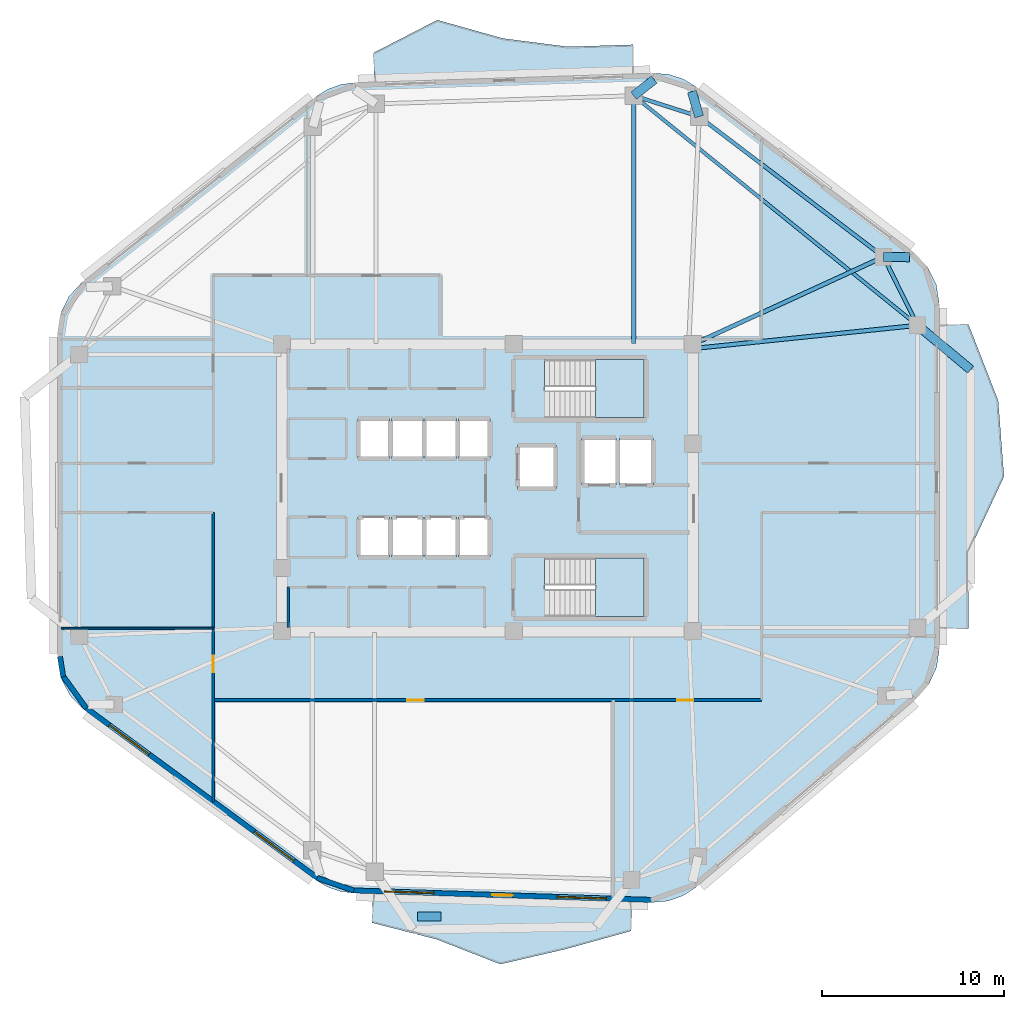
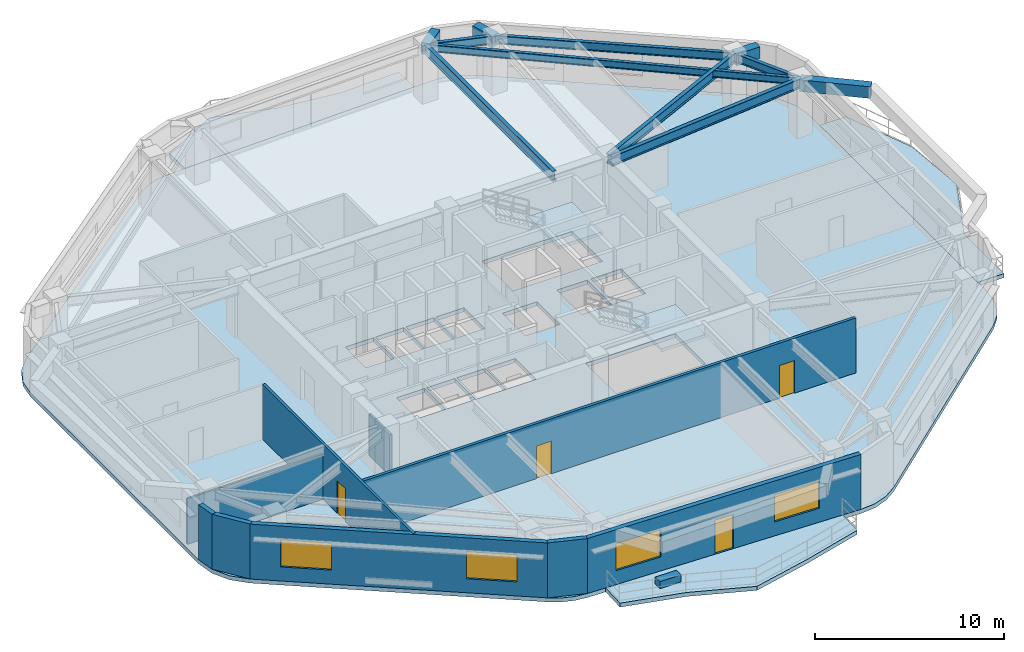
# One storey, part 2 of 8: 11 beams, 9 walls, 6 slabs, 4 doors, 4 windows, 1 plate, 8 openings, 2 elements without a shape of their own.
"""IFC4 building model written with IfcOpenShell, lengths in metres."""

from ifc_helpers import new_model, si_unit, direction, frame, frame_2d, origin, origin_2d, place, context, subcontext, project, spatial, polyline, rectangle, i_section, outline, extrude, material, layer, layer_set, material_profile, profile_set, type_object, element, fill, aggregate, save


model = new_model("IFC4")

# Units and contexts
model_context = context("Model", 3, precision=1e-05, world=origin(), true_north=direction((0.0, 1.0)))
body_context = subcontext(model_context, "Body", "Model", "MODEL_VIEW")
ifc_project = project(units=[si_unit("LENGTHUNIT", "METRE"), si_unit("AREAUNIT", "SQUARE_METRE"), si_unit("VOLUMEUNIT", "CUBIC_METRE"), si_unit("PLANEANGLEUNIT", "RADIAN"), si_unit("MASSUNIT", "GRAM", prefix="KILO")], contexts=[model_context])

# Site, building, storey
site_placement = place(None, origin())
site = spatial("IfcSite", under=ifc_project, at=site_placement, CompositionType="ELEMENT")
building_placement = place(site_placement, origin())
building = spatial("IfcBuilding", under=site, at=building_placement, Name="Zulverin Broadcast Headquarters", CompositionType="ELEMENT")
storey_placement = place(building_placement, frame((0.0, 0.0, 166.800048828125)))
storey = spatial("IfcBuildingStorey", under=building, at=storey_placement, Name="L42", CompositionType="ELEMENT", Elevation=166.800048828125)

# Beams
ifc_material_1 = material(Name="Concrete C40/50", Category="concrete")
ifc_material_profile_1 = material_profile(ifc_material_1, rectangle(XDim=0.5, YDim=0.75, at=origin_2d()), Name="Concrete C40/50", Category="concrete")
ifc_profile_set_1 = profile_set([ifc_material_profile_1], Name="Concrete C40/50")
beam_type_1 = type_object("IfcBeamType", Name="BM-RC-500x750", PredefinedType="BEAM", material=ifc_profile_set_1)
for number, where, z_axis, x_axis, name in (
    (1, (58.738037109375, 37.877685546875, 3.1650390625), (0.99990438472, -0.013828283279, 0.0), (0.013828283279, 0.99990438472, 0.0), "L43 Plate Overhang Back-Spanned Beam OVR-07"),
    (2, (48.62158203125, 45.574951171875, 3.1650390625), (-0.28015077605, 0.959956010804, 0.0), (-0.959956010804, -0.28015077605, 0.0), "L43 Plate Overhang Back-Spanned Beam OVR-08"),
):
    element("IfcBeam", number, at=place(storey_placement, frame(where, z_axis=z_axis, x_axis=x_axis)), inside=storey, type_object=beam_type_1, Name=name, PredefinedType="BEAM", context=body_context, shape_type="SweptSolid", body=[
        extrude(rectangle(XDim=0.5, YDim=0.75, at=origin_2d()), origin(), (0.0, 0.0, 1.0), 1.43017578125),
    ])
beam_1_placement = place(storey_placement, frame((45.027587890625, 46.7236328125, 3.1650390625), z_axis=(0.784900247321, 0.619622144339, 0.0), x_axis=(-0.619622144339, 0.784900247321, 0.0)))
element("IfcBeam", 3, at=beam_1_placement, inside=storey, type_object=beam_type_1, Name="L43 Plate Overhang Back-Spanned Beam OVR-09", PredefinedType="BEAM", context=body_context, shape_type="SweptSolid", body=[
    extrude(rectangle(XDim=0.5, YDim=0.75, at=origin_2d()), origin(), (0.0, 0.0, 1.0), 1.429931640625),
])
beam_2_placement = place(storey_placement, frame((60.60009765625, 34.12158203125, 3.1650390625), z_axis=(0.768400300007, -0.639969514078, 0.0), x_axis=(0.639969514078, 0.768400300007, 0.0)))
element("IfcBeam", 4, at=beam_2_placement, inside=storey, type_object=beam_type_1, Name="L43 Balcony Column-Framed Cantilever BAL_E-2", PredefinedType="BEAM", context=body_context, shape_type="SweptSolid", body=[
    extrude(rectangle(XDim=0.5, YDim=0.75, at=origin_2d()), origin(), (0.0, 0.0, 1.0), 3.800048828125),
])
ifc_material_2 = material(Name="Structural steel S355JR", Category="steel")
ifc_material_profile_2 = material_profile(ifc_material_2, i_section(OverallWidth=0.19287109375, OverallDepth=0.46728515625, WebThickness=0.011474609375, FlangeThickness=0.01953125, at=origin_2d()), Name="Structural steel S355JR", Category="steel")
ifc_profile_set_2 = profile_set([ifc_material_profile_2], Name="Structural steel S355JR")
beam_type_2 = type_object("IfcBeamType", Name="BM-UB-457", PredefinedType="JOIST", material=ifc_profile_set_2)
beam_3_placement = place(storey_placement, frame((60.60009765625, 34.12158203125, 3.306396484375), z_axis=(-0.777349017335, 0.629069555175, 0.0), x_axis=(-0.629069555175, -0.777349017335, 0.0)))
element("IfcBeam", 5, at=beam_3_placement, inside=storey, type_object=beam_type_2, Name="L42 Chordal Floor Joist J-02", PredefinedType="JOIST", context=body_context, shape_type="SweptSolid", body=[
    extrude(i_section(OverallWidth=0.19287109375, OverallDepth=0.46728515625, WebThickness=0.011474609375, FlangeThickness=0.01953125, at=origin_2d()), origin(), (0.0, 0.0, 1.0), 20.032958984375),
])
ifc_material_profile_3 = material_profile(ifc_material_2, i_section(OverallWidth=0.2119140625, OverallDepth=0.54443359375, WebThickness=0.0126953125, FlangeThickness=0.021240234375, at=origin_2d()), Name="Structural steel S355JR", Category="steel")
ifc_profile_set_3 = profile_set([ifc_material_profile_3], Name="Structural steel S355JR")
beam_type_3 = type_object("IfcBeamType", Name="BM-UB-533", PredefinedType="SPANDREL", material=ifc_profile_set_3)
beam_4_placement = place(storey_placement, frame((60.60009765625, 34.12158203125, 3.267578125), z_axis=(-0.444159471033, 0.895947746407, 0.0), x_axis=(-0.895947746407, -0.444159471033, 0.0)))
element("IfcBeam", 6, at=beam_4_placement, inside=storey, type_object=beam_type_3, Name="L42 Perimeter Spandrel Beam SP-06", PredefinedType="SPANDREL", context=body_context, shape_type="SweptSolid", body=[
    extrude(i_section(OverallWidth=0.2119140625, OverallDepth=0.54443359375, WebThickness=0.0126953125, FlangeThickness=0.021240234375, at=origin_2d()), origin(), (0.0, 0.0, 1.0), 4.1923828125),
])
beam_5_placement = place(storey_placement, frame((58.738037109375, 37.877685546875, 3.267578125), z_axis=(-0.795830102505, 0.60551998146, 0.0), x_axis=(-0.60551998146, -0.795830102505, 0.0)))
element("IfcBeam", 7, at=beam_5_placement, inside=storey, type_object=beam_type_3, Name="L42 Perimeter Spandrel Beam SP-07", PredefinedType="SPANDREL", context=body_context, shape_type="SweptSolid", body=[
    extrude(i_section(OverallWidth=0.2119140625, OverallDepth=0.54443359375, WebThickness=0.0126953125, FlangeThickness=0.021240234375, at=origin_2d()), origin(), (0.0, 0.0, 1.0), 12.7119140625),
])
beam_6_placement = place(storey_placement, frame((48.62158203125, 45.574951171875, 3.267578125), z_axis=(-0.952531523781, 0.304439971428, 0.0), x_axis=(-0.304439971428, -0.952531523781, 0.0)))
element("IfcBeam", 8, at=beam_6_placement, inside=storey, type_object=beam_type_3, Name="L42 Perimeter Spandrel Beam SP-08", PredefinedType="SPANDREL", context=body_context, shape_type="SweptSolid", body=[
    extrude(i_section(OverallWidth=0.2119140625, OverallDepth=0.54443359375, WebThickness=0.0126953125, FlangeThickness=0.021240234375, at=origin_2d()), origin(), (0.0, 0.0, 1.0), 3.773193359375),
])
ifc_material_profile_4 = material_profile(ifc_material_2, i_section(OverallWidth=0.230224609375, OverallDepth=0.6171875, WebThickness=0.01318359375, FlangeThickness=0.022216796875, at=origin_2d()), Name="Structural steel S355JR", Category="steel")
ifc_profile_set_4 = profile_set([ifc_material_profile_4], Name="Structural steel S355JR")
beam_type_4 = type_object("IfcBeamType", Name="BM-UB-610", PredefinedType="BEAM", material=ifc_profile_set_4)
beam_7_placement = place(storey_placement, frame((48.324951171875, 32.85009765625, 3.2314453125), z_axis=(0.994678169641, 0.103030766473, 0.0), x_axis=(-0.103030766473, 0.994678169641, 0.0)))
element("IfcBeam", 9, at=beam_7_placement, inside=storey, type_object=beam_type_4, Name="L42 Radial Primary Floor Beam RB-06", PredefinedType="BEAM", context=body_context, shape_type="SweptSolid", body=[
    extrude(i_section(OverallWidth=0.230224609375, OverallDepth=0.6171875, WebThickness=0.01318359375, FlangeThickness=0.022216796875, at=origin_2d()), origin(), (0.0, 0.0, 1.0), 12.3408203125),
])
beam_8_placement = place(storey_placement, frame((48.27490234375, 33.074951171875, 3.2314453125), z_axis=(0.90883007293, 0.417166511764, 0.0), x_axis=(-0.417166511764, 0.90883007293, 0.0)))
element("IfcBeam", 10, at=beam_8_placement, inside=storey, type_object=beam_type_4, Name="L42 Radial Primary Floor Beam RB-07", PredefinedType="BEAM", context=body_context, shape_type="SweptSolid", body=[
    extrude(i_section(OverallWidth=0.230224609375, OverallDepth=0.6171875, WebThickness=0.01318359375, FlangeThickness=0.022216796875, at=origin_2d()), origin(), (0.0, 0.0, 1.0), 11.5126953125),
])
beam_9_placement = place(storey_placement, frame((45.027587890625, 33.125, 3.2314453125), z_axis=(0.0, 1.0, 0.0), x_axis=(-1.0, 0.0, 0.0)))
element("IfcBeam", 11, at=beam_9_placement, inside=storey, type_object=beam_type_4, Name="L42 Radial Primary Floor Beam RB-09", PredefinedType="BEAM", context=body_context, shape_type="SweptSolid", body=[
    extrude(i_section(OverallWidth=0.230224609375, OverallDepth=0.6171875, WebThickness=0.01318359375, FlangeThickness=0.022216796875, at=origin_2d()), origin(), (0.0, 0.0, 1.0), 13.5986328125),
])

# Plate
ifc_material_3 = material(Name="Precast concrete C45/55", Category="concrete")
ifc_layer_1 = layer(ifc_material_3, 0.449951171875, Name="Precast concrete C45/55", Category="concrete")
ifc_layer_set_1 = layer_set([ifc_layer_1], Name="Precast concrete C45/55")
plate_type = type_object("IfcPlateType", Name="PT-01_PRECAST_GFRC_TREE_PLANTER", PredefinedType="USERDEFINED", material=ifc_layer_set_1)
plate_placement = place(storey_placement, frame((33.808349609375, 1.68115234375, -0.0048828125), z_axis=(0.0, 0.0, 1.0), x_axis=(1.0, 0.0, 0.0)))
element("IfcPlate", 12, at=plate_placement, inside=storey, type_object=plate_type, Name="L42 Precast GFRC Tree Planter BAL_S", ObjectType="PLANTER", PredefinedType="USERDEFINED", context=body_context, shape_type="SweptSolid", body=[
    extrude(rectangle(XDim=1.300048828125, YDim=0.5, at=origin_2d()), origin(), (0.0, 0.0, 1.0), 0.449951171875),
])

# Slabs
ifc_layer_2 = layer(ifc_material_1, 0.260009765625, Name="Concrete C40/50", Category="concrete")
ifc_layer_set_2 = layer_set([ifc_layer_2], Name="Concrete C40/50")
slab_type_1 = type_object("IfcSlabType", Name="SLB-BAL-260", PredefinedType="FLOOR", material=ifc_layer_set_2)
slab_1_placement = place(storey_placement, frame((0.0, 0.0, -0.260009765625)))
element("IfcSlab", 13, at=slab_1_placement, inside=storey, type_object=slab_type_1, Name="L42 Cantilevered Planted Balcony Slab BAL_E", PredefinedType="FLOOR", context=body_context, shape_type="SweptSolid", body=[
    extrude(outline(polyline([(61.800048828125, 34.17138671875), (61.800048828125, 17.46923828125), (63.39990234375, 17.46923828125), (63.39990234375, 21.644775390625), (65.35009765625, 25.8203125), (65.029541015625, 29.995849609375), (63.39990234375, 34.17138671875), (61.800048828125, 34.17138671875)])), origin(), (0.0, 0.0, 1.0), 0.260009765625),
])
slab_2_placement = place(storey_placement, frame((0.0, 0.0, -0.260009765625)))
element("IfcSlab", 14, at=slab_2_placement, inside=storey, type_object=slab_type_1, Name="L42 Cantilevered Planted Balcony Slab BAL_S", PredefinedType="FLOOR", context=body_context, shape_type="SweptSolid", body=[
    extrude(outline(polyline([(44.921630859375, 2.479248046875), (30.720458984375, 2.9296875), (30.669921875, 1.33056640625), (34.195068359375, 0.429931640625), (37.705322265625, -0.943603515625), (41.28564453125, -0.11328125), (44.87109375, 0.8798828125), (44.921630859375, 2.479248046875)])), origin(), (0.0, 0.0, 1.0), 0.260009765625),
])
slab_3_placement = place(storey_placement, frame((0.0, 0.0, -0.260009765625)))
element("IfcSlab", 15, at=slab_3_placement, inside=storey, type_object=slab_type_1, Name="L42 Cantilevered Planted Balcony Slab BAL_N", PredefinedType="FLOOR", context=body_context, shape_type="SweptSolid", body=[
    extrude(outline(polyline([(30.794189453125, 47.47265625), (45.03955078125, 47.924560546875), (44.98876953125, 49.523681640625), (41.427490234375, 49.410888671875), (37.847900390625, 49.86767578125), (34.2509765625, 50.87841796875), (30.743408203125, 49.072021484375), (30.794189453125, 47.47265625)])), origin(), (0.0, 0.0, 1.0), 0.260009765625),
])

# Stair, slab
stair_type = type_object("IfcStairType", Name="ST-CORE-1500", PredefinedType="HALF_TURN_STAIR", material=ifc_material_1)
stair_1_placement = place(storey_placement, origin())
stair_1 = element("IfcStair", 16, at=stair_1_placement, inside=storey, type_object=stair_type, Name="L42 Core Exit Stair ST-1", PredefinedType="HALF_TURN_STAIR")
ifc_layer_3 = layer(ifc_material_1, 0.199951171875, Name="Concrete C40/50", Category="concrete")
ifc_layer_set_3 = layer_set([ifc_layer_3], Name="Concrete C40/50")
slab_type_2 = type_object("IfcSlabType", Name="SLB-ST-LND200", PredefinedType="LANDING", material=ifc_layer_set_3)
slab_4_placement = place(storey_placement, frame((0.0, 0.0, 1.699951171875)))
slab_4 = element("IfcSlab", 17, at=slab_4_placement, type_object=slab_type_2, Name="ST-1 landing 1", PredefinedType="LANDING", context=body_context, shape_type="SweptSolid", body=[
    extrude(outline(polyline([(42.929931640625, 29.050048828125), (45.60009765625, 29.050048828125), (45.60009765625, 32.25), (42.929931640625, 32.25), (42.929931640625, 29.050048828125)])), origin(), (0.0, 0.0, 1.0), 0.199951171875),
])
aggregate(stair_1, [slab_4])

stair_2_placement = place(storey_placement, origin())
stair_2 = element("IfcStair", 18, at=stair_2_placement, inside=storey, type_object=stair_type, Name="L42 Core Exit Stair ST-2", PredefinedType="HALF_TURN_STAIR")
slab_5_placement = place(storey_placement, frame((0.0, 0.0, 1.699951171875)))
slab_5 = element("IfcSlab", 19, at=slab_5_placement, type_object=slab_type_2, Name="ST-2 landing 1", PredefinedType="LANDING", context=body_context, shape_type="SweptSolid", body=[
    extrude(outline(polyline([(42.929931640625, 18.14990234375), (45.60009765625, 18.14990234375), (45.60009765625, 21.35009765625), (42.929931640625, 21.35009765625), (42.929931640625, 18.14990234375)])), origin(), (0.0, 0.0, 1.0), 0.199951171875),
])
aggregate(stair_2, [slab_5])

# Slab
ifc_layer_4 = layer(ifc_material_1, 0.260009765625, Name="Concrete C40/50", Category="concrete")
ifc_layer_set_4 = layer_set([ifc_layer_4], Name="Concrete C40/50")
slab_type_3 = type_object("IfcSlabType", Name="SLB-TWR-260", PredefinedType="FLOOR", material=ifc_layer_set_4)
slab_6_placement = place(storey_placement, frame((0.0, 0.0, -0.260009765625)))
element("IfcSlab", 20, at=slab_6_placement, inside=storey, type_object=slab_type_3, Name="L42 Main Structural Floor Slab", PredefinedType="FLOOR", context=body_context, shape_type="SweptSolid", body=[
    extrude(outline(polyline([(27.603515625, 3.661865234375), (28.224365234375, 3.295166015625), (28.906005859375, 3.0595703125), (29.62109375, 2.964599609375), (46.02099609375, 2.4443359375), (46.902587890625, 2.525146484375), (47.738037109375, 2.81884765625), (48.476318359375, 3.3076171875), (60.541015625, 13.63427734375), (61.220703125, 14.41064453125), (61.652099609375, 15.34814453125), (61.800048828125, 16.369384765625), (61.800048828125, 35.271484375), (61.6318359375, 36.358642578125), (61.143310546875, 37.344482421875), (60.3798828125, 38.136474609375), (48.432861328125, 47.226318359375), (47.73095703125, 47.643798828125), (46.952880859375, 47.892578125), (46.138916015625, 47.95947265625), (29.694580078125, 47.437744140625), (28.9365234375, 47.332275390625), (28.2177734375, 47.06884765625), (27.57080078125, 46.659423828125), (14.761962890625, 36.492919921875), (14.02880859375, 35.705810546875), (13.560791015625, 34.737060546875), (13.39990234375, 33.673095703125), (13.39990234375, 15.921875), (13.57421875, 14.815673828125), (14.079833984375, 13.81640625), (14.8681640625, 13.02099609375), (27.603515625, 3.661865234375)]), holes=[polyline([(40.155029296875, 30.75), (40.130126953125, 30.75), (40.130126953125, 32.25), (45.60009765625, 32.25), (45.60009765625, 29.050048828125), (40.155029296875, 29.050048828125), (40.155029296875, 30.75)]), polyline([(40.155029296875, 19.85009765625), (40.130126953125, 19.85009765625), (40.130126953125, 21.35009765625), (45.60009765625, 21.35009765625), (45.60009765625, 18.14990234375), (40.155029296875, 18.14990234375), (40.155029296875, 19.85009765625)]), polyline([(29.89990234375, 21.39990234375), (31.6201171875, 21.39990234375), (31.6201171875, 23.60009765625), (29.89990234375, 23.60009765625), (29.89990234375, 21.39990234375)]), polyline([(31.739990234375, 21.39990234375), (33.4599609375, 21.39990234375), (33.4599609375, 23.60009765625), (31.739990234375, 23.60009765625), (31.739990234375, 21.39990234375)]), polyline([(33.580078125, 21.39990234375), (35.300048828125, 21.39990234375), (35.300048828125, 23.60009765625), (33.580078125, 23.60009765625), (33.580078125, 21.39990234375)]), polyline([(35.419921875, 21.39990234375), (37.139892578125, 21.39990234375), (37.139892578125, 23.60009765625), (35.419921875, 23.60009765625), (35.419921875, 21.39990234375)]), polyline([(29.89990234375, 26.800048828125), (31.6201171875, 26.800048828125), (31.6201171875, 29.0), (29.89990234375, 29.0), (29.89990234375, 26.800048828125)]), polyline([(31.739990234375, 26.800048828125), (33.4599609375, 26.800048828125), (33.4599609375, 29.0), (31.739990234375, 29.0), (31.739990234375, 26.800048828125)]), polyline([(33.580078125, 26.800048828125), (35.300048828125, 26.800048828125), (35.300048828125, 29.0), (33.580078125, 29.0), (33.580078125, 26.800048828125)]), polyline([(35.419921875, 26.800048828125), (37.139892578125, 26.800048828125), (37.139892578125, 29.0), (35.419921875, 29.0), (35.419921875, 26.800048828125)]), polyline([(42.199951171875, 25.35009765625), (44.050048828125, 25.35009765625), (44.050048828125, 27.949951171875), (42.199951171875, 27.949951171875), (42.199951171875, 25.35009765625)]), polyline([(44.25, 25.35009765625), (46.10009765625, 25.35009765625), (46.10009765625, 27.949951171875), (44.25, 27.949951171875), (44.25, 25.35009765625)]), polyline([(38.64990234375, 25.14990234375), (40.75, 25.14990234375), (40.75, 27.550048828125), (38.64990234375, 27.550048828125), (38.64990234375, 25.14990234375)])]), origin(), (0.0, 0.0, 1.0), 0.260009765625),
])

# Wall, openings, door, windows
ifc_material_4 = material(Name="Insulated pale-metal clad concrete spandrel C40/50", Category="concrete")
ifc_layer_5 = layer(ifc_material_4, 0.280029296875, Name="Insulated pale-metal clad concrete spandrel C40/50", Category="concrete")
ifc_layer_set_5 = layer_set([ifc_layer_5], Name="Insulated pale-metal clad concrete spandrel C40/50")
wall_type_1 = type_object("IfcWallType", Name="WL-EXT-280", PredefinedType="STANDARD", material=ifc_layer_set_5)
wall_1_placement = place(storey_placement, frame((29.62548828125, 3.1044921875, 0.0), z_axis=(0.0, 0.0, 1.0), x_axis=(0.99949718661, -0.031707632487, 0.0)))
wall_1 = element("IfcWall", 21, at=wall_1_placement, inside=storey, type_object=wall_type_1, Name="L42 Pale-Metal Clad Spandrel Wall 1", PredefinedType="STANDARD", context=body_context, shape_type="SweptSolid", body=[
    extrude(rectangle(XDim=16.408203125, YDim=0.280029296875, at=frame_2d((8.2041015625, 0.0))), origin(), (0.0, 0.0, 1.0), 3.5400390625),
])
opening_1_placement = place(wall_1_placement, frame((7.654052734375, 0.0, 0.0)))
opening_1 = element("IfcOpeningElement", 22, at=opening_1_placement, cuts=wall_1, Name="Opening D-L42-TR1", PredefinedType="OPENING", context=body_context, shape_type="SweptSolid", body=[
    extrude(rectangle(XDim=1.10009765625, YDim=2.199951171875, at=frame_2d((0.550048828125, 1.10009765625))), frame((0.0, 0.14990234375, 0.0), z_axis=(0.0, -1.0, 0.0), x_axis=(1.0, 0.0, 0.0)), (0.0, 0.0, 1.0), 0.300048828125),
])
opening_2_placement = place(wall_1_placement, frame((1.718017578125, 0.0, 0.89990234375)))
opening_2 = element("IfcOpeningElement", 23, at=opening_2_placement, cuts=wall_1, Name="Opening W-L42-E11", PredefinedType="OPENING", context=body_context, shape_type="SweptSolid", body=[
    extrude(rectangle(XDim=2.699951171875, YDim=1.75, at=frame_2d((1.35009765625, 0.875))), frame((0.0, 0.14990234375, 0.0), z_axis=(0.0, -1.0, 0.0), x_axis=(1.0, 0.0, 0.0)), (0.0, 0.0, 1.0), 0.300048828125),
])
opening_3_placement = place(wall_1_placement, frame((11.210205078125, 0.0, 0.89990234375)))
opening_3 = element("IfcOpeningElement", 24, at=opening_3_placement, cuts=wall_1, Name="Opening W-L42-E12", PredefinedType="OPENING", context=body_context, shape_type="SweptSolid", body=[
    extrude(rectangle(XDim=2.699951171875, YDim=1.75, at=frame_2d((1.35009765625, 0.875))), frame((0.0, 0.14990234375, 0.0), z_axis=(0.0, -1.0, 0.0), x_axis=(1.0, 0.0, 0.0)), (0.0, 0.0, 1.0), 0.300048828125),
])
ifc_material_5 = material(Name="Thermally broken aluminium glazed", Category="aluminium")
door_type_1 = type_object("IfcDoorType", Name="DR-TERR-1100", OperationType="SINGLE_SWING_RIGHT", PredefinedType="DOOR", material=ifc_material_5)
door_1_placement = place(opening_1_placement, origin())
door_1 = element("IfcDoor", 25, at=door_1_placement, inside=storey, type_object=door_type_1, Name="L42 Planted Terrace Glazed Access Door 1", OperationType="SINGLE_SWING_RIGHT", OverallHeight=2.199951171875, OverallWidth=1.10009765625, PredefinedType="DOOR", context=body_context, shape_type="SweptSolid", body=[
    extrude(rectangle(XDim=1.10009765625, YDim=2.199951171875, at=frame_2d((0.550048828125, 1.10009765625))), frame((0.0, 0.02490234375, 0.0), z_axis=(0.0, -1.0, 0.0), x_axis=(1.0, 0.0, 0.0)), (0.0, 0.0, 1.0), 0.050048828125),
])
fill(opening_1, door_1)
ifc_material_6 = material(Name="Pale anodized aluminium frame with solar-control low-E double glazing", Category="aluminium")
window_type = type_object("IfcWindowType", Name="WIN-TWR-2700", PartitioningType="SINGLE_PANEL", PredefinedType="WINDOW", material=ifc_material_6)
window_1_placement = place(opening_2_placement, origin())
window_1 = element("IfcWindow", 26, at=window_1_placement, inside=storey, type_object=window_type, Name="L42 Ribbon Glazing Window 1 1", OverallHeight=1.75, OverallWidth=2.699951171875, PartitioningType="SINGLE_PANEL", PredefinedType="WINDOW", context=body_context, shape_type="SweptSolid", body=[
    extrude(rectangle(XDim=2.699951171875, YDim=1.75, at=frame_2d((1.35009765625, 0.875))), frame((0.0, 0.030029296875, 0.0), z_axis=(0.0, -1.0, 0.0), x_axis=(1.0, 0.0, 0.0)), (0.0, 0.0, 1.0), 0.06005859375),
])
fill(opening_2, window_1)
window_2_placement = place(opening_3_placement, origin())
window_2 = element("IfcWindow", 27, at=window_2_placement, inside=storey, type_object=window_type, Name="L42 Ribbon Glazing Window 1 2", OverallHeight=1.75, OverallWidth=2.699951171875, PartitioningType="SINGLE_PANEL", PredefinedType="WINDOW", context=body_context, shape_type="SweptSolid", body=[
    extrude(rectangle(XDim=2.699951171875, YDim=1.75, at=frame_2d((1.35009765625, 0.875))), frame((0.0, 0.030029296875, 0.0), z_axis=(0.0, -1.0, 0.0), x_axis=(1.0, 0.0, 0.0)), (0.0, 0.0, 1.0), 0.06005859375),
])
fill(opening_3, window_2)

# Wall, openings, windows
wall_2_placement = place(storey_placement, frame((14.950927734375, 13.1337890625, 0.0), z_axis=(0.0, 0.0, 1.0), x_axis=(0.805804940328, -0.592181051827, 0.0)))
wall_2 = element("IfcWall", 28, at=wall_2_placement, inside=storey, type_object=wall_type_1, Name="L42 Pale-Metal Clad Spandrel Wall 8", PredefinedType="STANDARD", context=body_context, shape_type="SweptSolid", body=[
    extrude(rectangle(XDim=15.804443359375, YDim=0.280029296875, at=frame_2d((7.90234375, 0.0))), origin(), (0.0, 0.0, 1.0), 3.5400390625),
])
opening_4_placement = place(wall_2_placement, frame((1.617431640625, 0.0, 0.89990234375)))
opening_4 = element("IfcOpeningElement", 29, at=opening_4_placement, cuts=wall_2, Name="Opening W-L42-E81", PredefinedType="OPENING", context=body_context, shape_type="SweptSolid", body=[
    extrude(rectangle(XDim=2.699951171875, YDim=1.75, at=frame_2d((1.35009765625, 0.875))), frame((0.0, 0.14990234375, 0.0), z_axis=(0.0, -1.0, 0.0), x_axis=(1.0, 0.0, 0.0)), (0.0, 0.0, 1.0), 0.300048828125),
])
opening_5_placement = place(wall_2_placement, frame((11.487060546875, 0.0, 0.89990234375)))
opening_5 = element("IfcOpeningElement", 30, at=opening_5_placement, cuts=wall_2, Name="Opening W-L42-E82", PredefinedType="OPENING", context=body_context, shape_type="SweptSolid", body=[
    extrude(rectangle(XDim=2.699951171875, YDim=1.75, at=frame_2d((1.35009765625, 0.875))), frame((0.0, 0.14990234375, 0.0), z_axis=(0.0, -1.0, 0.0), x_axis=(1.0, 0.0, 0.0)), (0.0, 0.0, 1.0), 0.300048828125),
])
window_3_placement = place(opening_4_placement, origin())
window_3 = element("IfcWindow", 31, at=window_3_placement, inside=storey, type_object=window_type, Name="L42 Ribbon Glazing Window 8 1", OverallHeight=1.75, OverallWidth=2.699951171875, PartitioningType="SINGLE_PANEL", PredefinedType="WINDOW", context=body_context, shape_type="SweptSolid", body=[
    extrude(rectangle(XDim=2.699951171875, YDim=1.75, at=frame_2d((1.35009765625, 0.875))), frame((0.0, 0.030029296875, 0.0), z_axis=(0.0, -1.0, 0.0), x_axis=(1.0, 0.0, 0.0)), (0.0, 0.0, 1.0), 0.06005859375),
])
fill(opening_4, window_3)
window_4_placement = place(opening_5_placement, origin())
window_4 = element("IfcWindow", 32, at=window_4_placement, inside=storey, type_object=window_type, Name="L42 Ribbon Glazing Window 8 2", OverallHeight=1.75, OverallWidth=2.699951171875, PartitioningType="SINGLE_PANEL", PredefinedType="WINDOW", context=body_context, shape_type="SweptSolid", body=[
    extrude(rectangle(XDim=2.699951171875, YDim=1.75, at=frame_2d((1.35009765625, 0.875))), frame((0.0, 0.030029296875, 0.0), z_axis=(0.0, -1.0, 0.0), x_axis=(1.0, 0.0, 0.0)), (0.0, 0.0, 1.0), 0.06005859375),
])
fill(opening_5, window_4)

# Walls
wall_3_placement = place(storey_placement, frame((13.538330078125, 15.943603515625, 0.0), z_axis=(0.0, 0.0, 1.0), x_axis=(0.155447556013, -0.987844146275, 0.0)))
element("IfcWall", 33, at=wall_3_placement, inside=storey, type_object=wall_type_1, Name="L42 Wind-Shaped Corner Spandrel Wall 7-1", PredefinedType="STANDARD", context=body_context, shape_type="SweptSolid", body=[
    extrude(rectangle(XDim=1.119873046875, YDim=0.280029296875, at=frame_2d((0.56005859375, 0.0))), origin(), (0.0, 0.0, 1.0), 3.5400390625),
])
wall_4_placement = place(storey_placement, frame((13.687744140625, 14.897705078125, 0.0), z_axis=(0.0, 0.0, 1.0), x_axis=(0.584833657716, -0.811153248655, 0.0)))
element("IfcWall", 34, at=wall_4_placement, inside=storey, type_object=wall_type_1, Name="L42 Wind-Shaped Corner Spandrel Wall 7-2", PredefinedType="STANDARD", context=body_context, shape_type="SweptSolid", body=[
    extrude(rectangle(XDim=2.21240234375, YDim=0.280029296875, at=frame_2d((1.106201171875, 0.0))), origin(), (0.0, 0.0, 1.0), 3.5400390625),
])
wall_5_placement = place(storey_placement, frame((27.649169921875, 3.794189453125, 0.0), z_axis=(0.0, 0.0, 1.0), x_axis=(0.945149124969, -0.326639145802, 0.0)))
element("IfcWall", 35, at=wall_5_placement, inside=storey, type_object=wall_type_1, Name="L42 Wind-Shaped Corner Spandrel Wall 8-1", PredefinedType="STANDARD", context=body_context, shape_type="SweptSolid", body=[
    extrude(rectangle(XDim=2.134765625, YDim=0.280029296875, at=frame_2d((1.0673828125, 0.0))), origin(), (0.0, 0.0, 1.0), 3.5400390625),
])
ifc_material_7 = material(Name="Fire-rated acoustic laminated glass screen", Category="glass")
ifc_layer_6 = layer(ifc_material_7, 0.10009765625, Name="Fire-rated acoustic laminated glass screen", Category="glass")
ifc_layer_set_6 = layer_set([ifc_layer_6], Name="Fire-rated acoustic laminated glass screen")
wall_type_2 = type_object("IfcWallType", Name="WL-GLAZ-100", PredefinedType="PARTITIONING", material=ifc_layer_set_6)
wall_6_placement = place(storey_placement, frame((13.60498046875, 17.5, 0.0), z_axis=(0.0, 0.0, 1.0), x_axis=(1.0, 0.0, 0.0)))
element("IfcWall", 36, at=wall_6_placement, inside=storey, type_object=wall_type_2, Name="L42 Room Partition Wall RP-10", PredefinedType="PARTITIONING", context=body_context, shape_type="SweptSolid", body=[
    extrude(rectangle(XDim=8.344970703125, YDim=0.10009765625, at=frame_2d((4.17236328125, 0.0))), origin(), (0.0, 0.0, 1.0), 2.9228515625),
])
ifc_material_8 = material(Name="Fire-rated gypsum stud partition", Category="gypsum")
ifc_layer_7 = layer(ifc_material_8, 0.14990234375, Name="Fire-rated gypsum stud partition", Category="gypsum")
ifc_layer_set_7 = layer_set([ifc_layer_7], Name="Fire-rated gypsum stud partition")
wall_type_3 = type_object("IfcWallType", Name="WL-PART-150", PredefinedType="PARTITIONING", material=ifc_layer_set_7)
wall_7_placement = place(storey_placement, frame((26.070068359375, 17.550048828125, 0.0), z_axis=(0.0, 0.0, 1.0), x_axis=(0.0, 1.0, 0.0)))
element("IfcWall", 37, at=wall_7_placement, inside=storey, type_object=wall_type_3, Name="L42 Core Female WC West Wall", PredefinedType="PARTITIONING", context=body_context, shape_type="SweptSolid", body=[
    extrude(rectangle(XDim=2.199951171875, YDim=0.14990234375, at=frame_2d((1.10009765625, 0.0))), origin(), (0.0, 0.0, 1.0), 2.639892578125),
])

# Wall, opening, door
wall_8_placement = place(storey_placement, frame((21.949951171875, 7.95654296875, 0.0), z_axis=(0.0, 0.0, 1.0), x_axis=(0.0, 1.0, 0.0)))
wall_8 = element("IfcWall", 38, at=wall_8_placement, inside=storey, type_object=wall_type_3, Name="L42 Gallery Partition Wall CG-06", PredefinedType="PARTITIONING", context=body_context, shape_type="SweptSolid", body=[
    extrude(rectangle(XDim=15.8935546875, YDim=0.14990234375, at=frame_2d((7.94677734375, 0.0))), origin(), (0.0, 0.0, 1.0), 3.5400390625),
])
opening_6_placement = place(wall_8_placement, frame((7.118408203125, 0.0, 0.0)))
opening_6 = element("IfcOpeningElement", 39, at=opening_6_placement, cuts=wall_8, Name="Opening D-L42-05", PredefinedType="OPENING", context=body_context, shape_type="SweptSolid", body=[
    extrude(rectangle(XDim=0.89990234375, YDim=2.10009765625, at=frame_2d((0.449951171875, 1.050048828125))), frame((0.0, 0.0849609375, 0.0), z_axis=(0.0, -1.0, 0.0), x_axis=(1.0, 0.0, 0.0)), (0.0, 0.0, 1.0), 0.169921875),
])
ifc_material_9 = material(Name="Fire-rated hardwood veneer timber leaf", Category="wood")
door_type_2 = type_object("IfcDoorType", Name="DR-ROOM-900", OperationType="SINGLE_SWING_RIGHT", PredefinedType="DOOR", material=ifc_material_9)
door_2_placement = place(opening_6_placement, origin())
door_2 = element("IfcDoor", 40, at=door_2_placement, inside=storey, type_object=door_type_2, Name="L42 Interview Room Door", OperationType="SINGLE_SWING_RIGHT", OverallHeight=2.10009765625, OverallWidth=0.89990234375, PredefinedType="DOOR", context=body_context, shape_type="SweptSolid", body=[
    extrude(rectangle(XDim=0.89990234375, YDim=2.10009765625, at=frame_2d((0.449951171875, 1.050048828125))), frame((0.0, 0.02490234375, 0.0), z_axis=(0.0, -1.0, 0.0), x_axis=(1.0, 0.0, 0.0)), (0.0, 0.0, 1.0), 0.050048828125),
])
fill(opening_6, door_2)

# Wall, openings, doors
ifc_material_10 = material(Name="Fire-rated acoustic stud wall", Category="gypsum")
ifc_layer_8 = layer(ifc_material_10, 0.175048828125, Name="Fire-rated acoustic stud wall", Category="gypsum")
ifc_layer_set_8 = layer_set([ifc_layer_8], Name="Fire-rated acoustic stud wall")
wall_type_4 = type_object("IfcWallType", Name="WL-PART-175", PredefinedType="PARTITIONING", material=ifc_layer_set_8)
wall_9_placement = place(storey_placement, frame((21.949951171875, 13.550048828125, 0.0), z_axis=(0.0, 0.0, 1.0), x_axis=(1.0, 0.0, 0.0)))
wall_9 = element("IfcWall", 41, at=wall_9_placement, inside=storey, type_object=wall_type_4, Name="L42 Gallery Partition Wall CG-08", PredefinedType="PARTITIONING", context=body_context, shape_type="SweptSolid", body=[
    extrude(rectangle(XDim=30.10009765625, YDim=0.175048828125, at=frame_2d((15.050048828125, 0.0))), origin(), (0.0, 0.0, 1.0), 3.5400390625),
])
opening_7_placement = place(wall_9_placement, frame((10.64501953125, 0.0, 0.0)))
opening_7 = element("IfcOpeningElement", 42, at=opening_7_placement, cuts=wall_9, Name="Opening D-L42-03", PredefinedType="OPENING", context=body_context, shape_type="SweptSolid", body=[
    extrude(rectangle(XDim=0.89990234375, YDim=2.10009765625, at=frame_2d((0.449951171875, 1.050048828125))), frame((0.0, 0.097412109375, 0.0), z_axis=(0.0, -1.0, 0.0), x_axis=(1.0, 0.0, 0.0)), (0.0, 0.0, 1.0), 0.195068359375),
])
opening_8_placement = place(wall_9_placement, frame((25.455078125, 0.0, 0.0)))
opening_8 = element("IfcOpeningElement", 43, at=opening_8_placement, cuts=wall_9, Name="Opening D-L42-04", PredefinedType="OPENING", context=body_context, shape_type="SweptSolid", body=[
    extrude(rectangle(XDim=0.89990234375, YDim=2.10009765625, at=frame_2d((0.449951171875, 1.050048828125))), frame((0.0, 0.097412109375, 0.0), z_axis=(0.0, -1.0, 0.0), x_axis=(1.0, 0.0, 0.0)), (0.0, 0.0, 1.0), 0.195068359375),
])
door_3_placement = place(opening_7_placement, origin())
door_3 = element("IfcDoor", 44, at=door_3_placement, inside=storey, type_object=door_type_2, Name="L42 Open Workspace Door", OperationType="SINGLE_SWING_RIGHT", OverallHeight=2.10009765625, OverallWidth=0.89990234375, PredefinedType="DOOR", context=body_context, shape_type="SweptSolid", body=[
    extrude(rectangle(XDim=0.89990234375, YDim=2.10009765625, at=frame_2d((0.449951171875, 1.050048828125))), frame((0.0, 0.02490234375, 0.0), z_axis=(0.0, -1.0, 0.0), x_axis=(1.0, 0.0, 0.0)), (0.0, 0.0, 1.0), 0.050048828125),
])
fill(opening_7, door_3)
door_4_placement = place(opening_8_placement, origin())
door_4 = element("IfcDoor", 45, at=door_4_placement, inside=storey, type_object=door_type_2, Name="L42 Meeting Room Door", OperationType="SINGLE_SWING_LEFT", OverallHeight=2.10009765625, OverallWidth=0.89990234375, PredefinedType="DOOR", context=body_context, shape_type="SweptSolid", body=[
    extrude(rectangle(XDim=0.89990234375, YDim=2.10009765625, at=frame_2d((0.449951171875, 1.050048828125))), frame((0.0, 0.02490234375, 0.0), z_axis=(0.0, -1.0, 0.0), x_axis=(1.0, 0.0, 0.0)), (0.0, 0.0, 1.0), 0.050048828125),
])
fill(opening_8, door_4)

save(model, "model.ifc")
